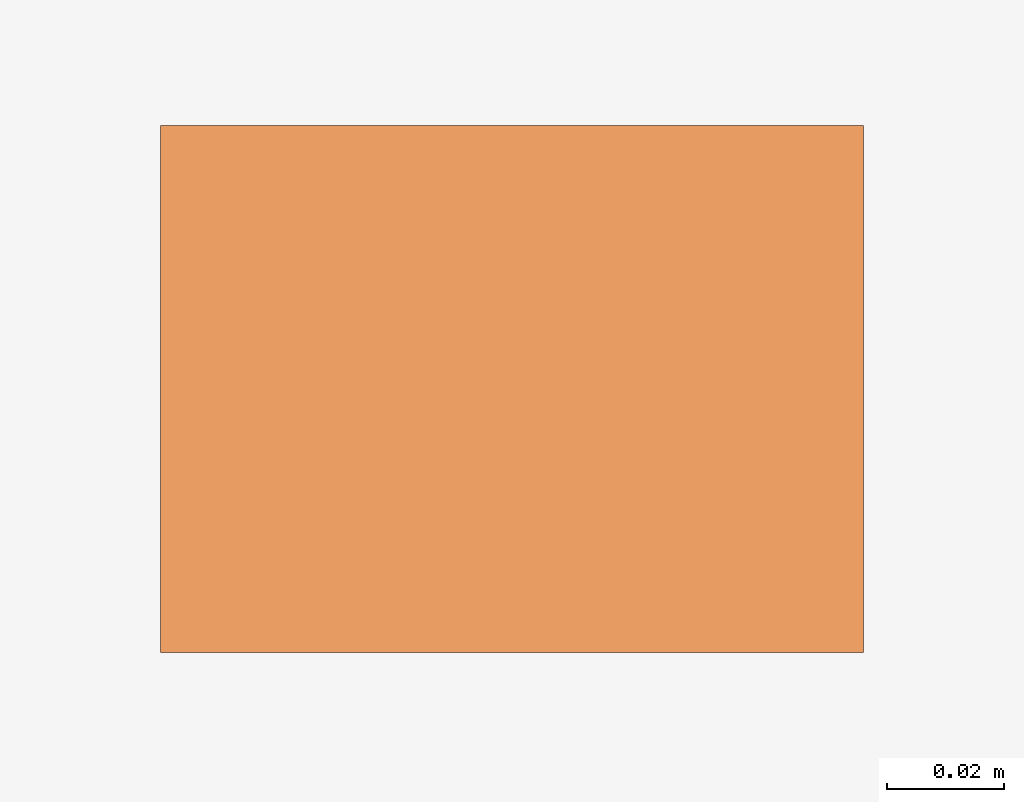
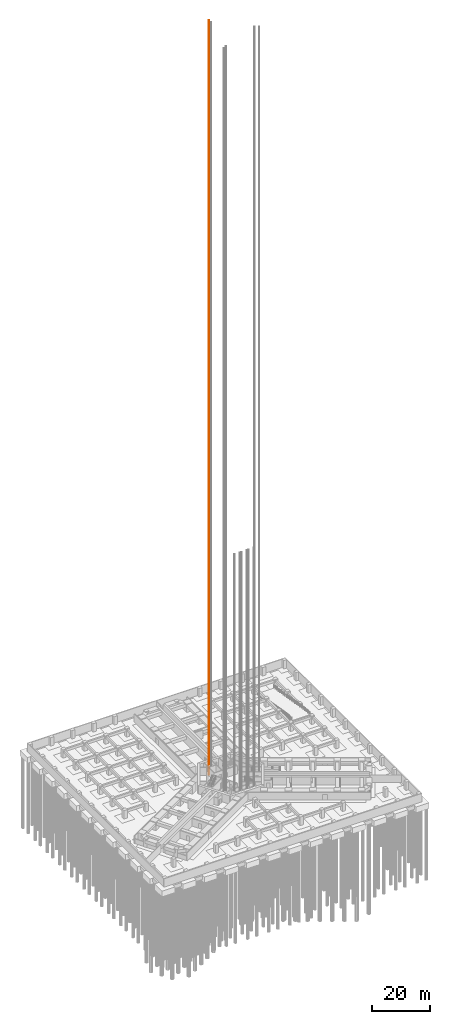
# One storey, part 73 of 73: 1 proxy.
"""IFC4 building model written with IfcOpenShell, lengths in metres."""

from ifc_helpers import new_model, si_unit, direction, frame, origin, origin_2d, place, context, subcontext, project, spatial, rectangle, extrude, material, type_object, element, save


model = new_model("IFC4")

# Units and contexts
model_context = context("Model", 3, precision=1e-05, world=origin(), true_north=direction((0.0, 1.0)))
body_context = subcontext(model_context, "Body", "Model", "MODEL_VIEW")
ifc_project = project(units=[si_unit("LENGTHUNIT", "METRE"), si_unit("AREAUNIT", "SQUARE_METRE"), si_unit("VOLUMEUNIT", "CUBIC_METRE"), si_unit("PLANEANGLEUNIT", "RADIAN"), si_unit("MASSUNIT", "GRAM", prefix="KILO")], contexts=[model_context])

# Site, building, storey
site_placement = place(None, origin())
site = spatial("IfcSite", under=ifc_project, at=site_placement, CompositionType="ELEMENT")
building_placement = place(site_placement, origin())
building = spatial("IfcBuilding", under=site, at=building_placement, Name="Impinga Residences", CompositionType="ELEMENT")
storey_placement = place(building_placement, frame((0.0, 0.0, -10.5)))
storey = spatial("IfcBuildingStorey", under=building, at=storey_placement, Name="B3", CompositionType="ELEMENT", Elevation=-10.5)

# Proxy
ifc_material = material(Name="Steel lift guide rail, galvanised", Category="steel")
building_element_proxy_type = type_object("IfcBuildingElementProxyType", Name="LGR lift guide rail", PredefinedType="USERDEFINED", material=ifc_material)
proxy_placement = place(storey_placement, frame((-2.949951171875, 9.8349609375, -1.60009765625), z_axis=(0.0, 0.0, 1.0), x_axis=(0.0, 1.0, 0.0)))
element("IfcBuildingElementProxy", 1, at=proxy_placement, inside=storey, type_object=building_element_proxy_type, Name="Guide rail F1 2", ObjectType="Lift guide rail", PredefinedType="USERDEFINED", context=body_context, shape_type="SweptSolid", body=[
    extrude(rectangle(XDim=0.090087890625, YDim=0.1201171875, at=origin_2d()), origin(), (0.0, 0.0, 1.0), 316.25),
])

save(model, "model.ifc")
